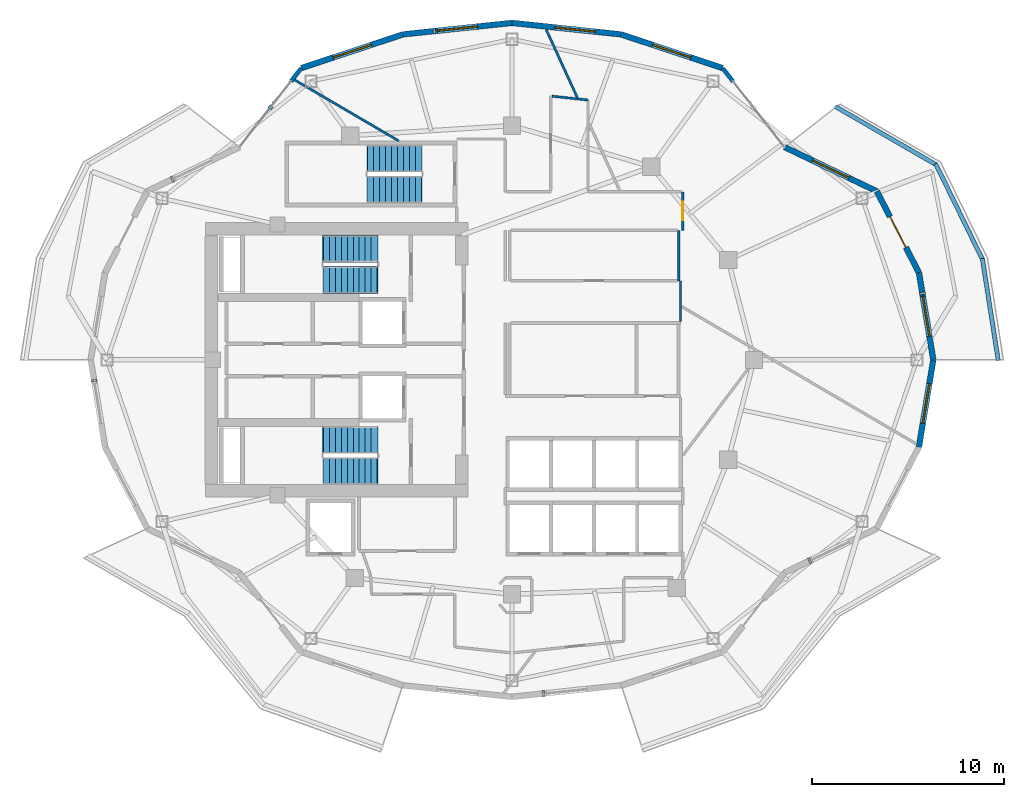
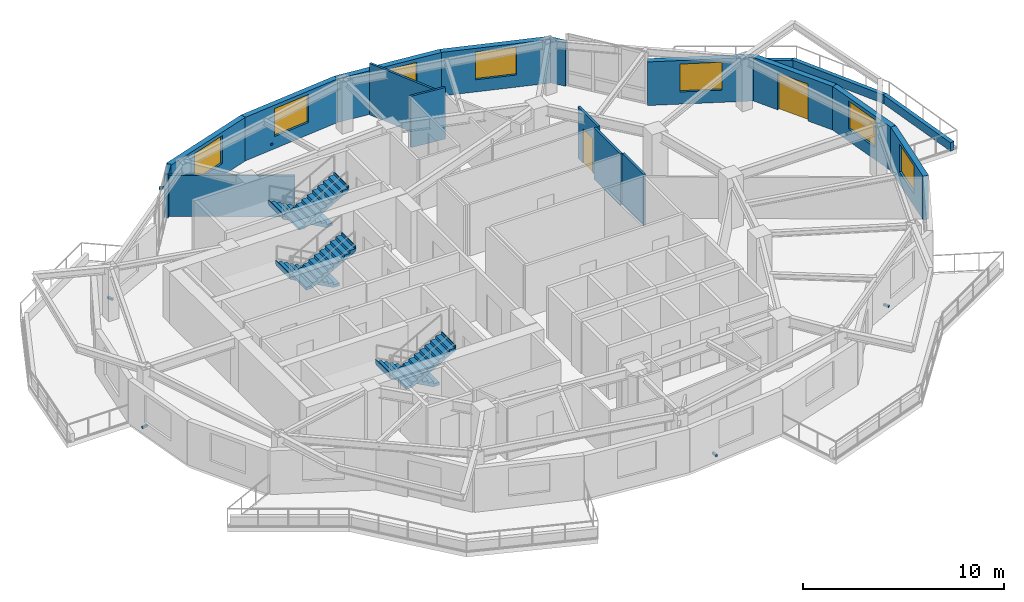
# One storey, part 9 of 13: 19 walls, 7 discrete accessories, 7 windows, 6 stair flights, 2 doors, 9 openings, 3 elements without a shape of their own.
"""IFC4 building model written with IfcOpenShell, lengths in metres."""

import ifcopenshell
import ifcopenshell.guid

model = None  # the IFC model being written
_history = None  # IfcOwnerHistory: only IFC2X3 demands one
_inside = {}  # id of a spatial element -> (the spatial element, [elements in it])
_under = {}  # id of a project, library or spatial element -> (it, [spatial elements below it])
_declared = {}  # id of a project -> (the project, [libraries it declares])
_typed = {}  # id of a type object -> (the type object, [elements of that type])
_made_of = {}  # id of a material, layer set ... -> (it, [elements and type objects made of it])


def new_model(schema):
    """Start an empty IFC model of exactly this schema.

    Asked for "IFC4X3", IfcOpenShell would pick the latest addendum, in which some entities
    have other attributes; the version numbers below select the first issue.
    IFC2X3 requires an IfcOwnerHistory on every rooted entity: one is made here for all.
    """
    global model, _history
    if schema == "IFC4X3":
        model = ifcopenshell.file(schema_version=(4, 3, 0, 0))
    else:
        model = ifcopenshell.file(schema=schema)
    _inside.clear()
    _under.clear()
    _declared.clear()
    _typed.clear()
    _made_of.clear()
    _history = None
    if model.schema == "IFC2X3":
        org = make("IfcOrganization", Name="unknown")
        user = make(
            "IfcPersonAndOrganization",
            ThePerson=make("IfcPerson", FamilyName="unknown"),
            TheOrganization=org,
        )
        app = make(
            "IfcApplication",
            ApplicationDeveloper=org,
            Version="unknown",
            ApplicationFullName="unknown",
            ApplicationIdentifier="unknown",
        )
        _history = make(
            "IfcOwnerHistory",
            OwningUser=user,
            OwningApplication=app,
            ChangeAction="ADDED",
            CreationDate=0,
        )
    return model


def make(cls, **values):
    """One entity of the class cls with the attributes given. An attribute that is None is left unset."""
    return model.create_entity(
        cls, **{name: value for name, value in values.items() if value is not None}
    )


def rooted(cls, **values):
    """An entity with a GlobalId (a new one), such as an element, a storey or a relation."""
    return make(cls, GlobalId=ifcopenshell.guid.new(), OwnerHistory=_history, **values)


def si_unit(unit_type, name, prefix=None):
    """IfcSIUnit, for example si_unit("LENGTHUNIT", "METRE", prefix="MILLI")."""
    return make("IfcSIUnit", UnitType=unit_type, Prefix=prefix, Name=name)


def assignment(units):
    """IfcUnitAssignment: the units of a project."""
    return None if units is None else make("IfcUnitAssignment", Units=units)


def point(xyz):
    """IfcCartesianPoint."""
    return None if xyz is None else make("IfcCartesianPoint", Coordinates=xyz)


def direction(xyz):
    """IfcDirection."""
    return None if xyz is None else make("IfcDirection", DirectionRatios=xyz)


def frame(location, z_axis=None, x_axis=None):
    """IfcAxis2Placement3D, a coordinate frame: its origin and axes. An axis left out is left unset."""
    return make(
        "IfcAxis2Placement3D",
        Location=point(location),
        Axis=direction(z_axis),
        RefDirection=direction(x_axis),
    )


def frame_2d(location, x_axis=None):
    """IfcAxis2Placement2D, a coordinate frame in the plane: its origin and x axis."""
    return make(
        "IfcAxis2Placement2D", Location=point(location), RefDirection=direction(x_axis)
    )


def origin():
    """The frame at (0, 0, 0) with its axes left unset."""
    return frame((0.0, 0.0, 0.0))


def origin_2d():
    """The frame at (0, 0) in the plane with its x axis left unset."""
    return frame_2d((0.0, 0.0))


def place(relative_to, where):
    """IfcLocalPlacement: puts the frame where relative to a parent placement (None: the world)."""
    return make(
        "IfcLocalPlacement", PlacementRelTo=relative_to, RelativePlacement=where
    )


def context(
    kind, dimensions, precision=None, world=None, true_north=None, identifier=None
):
    """IfcGeometricRepresentationContext, for example the 3D "Model" context."""
    return make(
        "IfcGeometricRepresentationContext",
        ContextIdentifier=identifier,
        ContextType=kind,
        CoordinateSpaceDimension=dimensions,
        Precision=precision,
        WorldCoordinateSystem=world,
        TrueNorth=true_north,
    )


def subcontext(parent, identifier, kind, view, scale=None):
    """IfcGeometricRepresentationSubContext, for example "Body" below "Model"."""
    return make(
        "IfcGeometricRepresentationSubContext",
        ContextIdentifier=identifier,
        ContextType=kind,
        ParentContext=parent,
        TargetScale=scale,
        TargetView=view,
    )


def project(units=None, contexts=None):
    """IfcProject with its units and contexts."""
    return rooted(
        "IfcProject",
        Name="project",
        RepresentationContexts=contexts,
        UnitsInContext=assignment(units),
    )


def spatial(cls, under=None, at=None, **own):
    """A site, building, storey or space (cls), placed at a placement, below another one or the project."""
    s = rooted(cls, ObjectPlacement=at, **own)
    if under is not None:
        _under.setdefault(under.id(), (under, []))[1].append(s)
    return s


def polyline(points):
    """IfcPolyline through the points."""
    return make("IfcPolyline", Points=[point(p) for p in points])


def profile(cls, at=None, kind="AREA", **sizes):
    """A parametric profile (cls). Its sizes go by their IFC names, for example OverallWidth=200.0."""
    return make(cls, ProfileType=kind, Position=at, **sizes)


def rectangle(**sizes):
    """IfcRectangleProfileDef."""
    return profile("IfcRectangleProfileDef", **sizes)


def outline(outer, holes=None, kind="AREA"):
    """IfcArbitraryClosedProfileDef: a profile drawn as a closed curve; with holes, ...WithVoids."""
    if holes is None:
        return make("IfcArbitraryClosedProfileDef", ProfileType=kind, OuterCurve=outer)
    return make(
        "IfcArbitraryProfileDefWithVoids",
        ProfileType=kind,
        OuterCurve=outer,
        InnerCurves=holes,
    )


def extrude(swept, where, along, depth):
    """IfcExtrudedAreaSolid: the profile swept, set in the frame where, extruded along a direction by depth."""
    return make(
        "IfcExtrudedAreaSolid",
        SweptArea=swept,
        Position=where,
        ExtrudedDirection=direction(along),
        Depth=depth,
    )


def shape(context_of_items, identifier, shape_type, items):
    """IfcShapeRepresentation: the items that make up one representation, for example the "Body"."""
    return make(
        "IfcShapeRepresentation",
        ContextOfItems=context_of_items,
        RepresentationIdentifier=identifier,
        RepresentationType=shape_type,
        Items=items,
    )


def material(Name=None, Category=None):
    """IfcMaterial."""
    return make("IfcMaterial", Name=Name, Category=Category)


def layer(
    of_material, thickness, ventilated=None, Name=None, Category=None, Priority=None
):
    """IfcMaterialLayer: one layer of a wall or slab, of a material (None: an air gap)."""
    return make(
        "IfcMaterialLayer",
        Material=of_material,
        LayerThickness=thickness,
        IsVentilated=ventilated,
        Name=Name,
        Category=Category,
        Priority=Priority,
    )


def layer_set(layers, Name=None):
    """IfcMaterialLayerSet."""
    return make("IfcMaterialLayerSet", MaterialLayers=layers, LayerSetName=Name)


def made_of(thing, what):
    """Note that an element or type object is made of a material, layer set ...; save() writes the relation."""
    if what is not None:
        _made_of.setdefault(what.id(), (what, []))[1].append(thing)
    return thing


def type_object(cls, material=None, **own):
    """A type object (cls), such as IfcWallType, which elements share."""
    return made_of(rooted(cls, **own), material)


def element(
    cls,
    number,
    at=None,
    inside=None,
    cuts=None,
    type_object=None,
    material=None,
    context=None,
    identifier="Body",
    shape_type=None,
    held_by="IfcProductDefinitionShape",
    body=None,
    shapes=None,
    **own,
):
    """One element of the class cls, such as IfcWall. Its Tag is "e" and its number.

    at: its placement. inside: the storey or other place that contains it. cuts: it is an
    opening in that element (IfcRelVoidsElement). A single representation is given by context,
    identifier, shape_type and body (its items); several are given by shapes. held_by: the class
    of the entity that holds the representations. save() writes the other relations.
    """
    e = rooted(cls, Tag="e%d" % number, ObjectPlacement=at, **own)
    if body is not None:
        shapes = [shape(context, identifier, shape_type, body)]
    if shapes is not None:
        e.Representation = make(held_by, Representations=shapes)
    if inside is not None:
        _inside.setdefault(inside.id(), (inside, []))[1].append(e)
    if cuts is not None:
        rooted(
            "IfcRelVoidsElement", RelatingBuildingElement=cuts, RelatedOpeningElement=e
        )
    if type_object is not None:
        _typed.setdefault(type_object.id(), (type_object, []))[1].append(e)
    return made_of(e, material)


def fill(opening, filler):
    """IfcRelFillsElement: the door or window that sits in an opening."""
    return rooted(
        "IfcRelFillsElement",
        RelatingOpeningElement=opening,
        RelatedBuildingElement=filler,
    )


def aggregate(whole, parts):
    """IfcRelAggregates: a whole, such as a stair, and the parts it consists of."""
    return rooted("IfcRelAggregates", RelatingObject=whole, RelatedObjects=parts)


def save(model, path):
    """Write the relations noted so far, then the file.

    IfcRelAggregates (storeys below a building ...), IfcRelContainedInSpatialStructure (elements
    in a storey), IfcRelDefinesByType, IfcRelAssociatesMaterial and IfcRelDeclares: one each for
    every whole, place, type object, material and project.
    """
    for whole, parts in _under.values():
        aggregate(whole, parts)
    for where, things in _inside.values():
        rooted(
            "IfcRelContainedInSpatialStructure",
            RelatedElements=things,
            RelatingStructure=where,
        )
    for kind, things in _typed.values():
        rooted("IfcRelDefinesByType", RelatedObjects=things, RelatingType=kind)
    for what, things in _made_of.values():
        rooted("IfcRelAssociatesMaterial", RelatedObjects=things, RelatingMaterial=what)
    for by, libraries in _declared.values():
        rooted("IfcRelDeclares", RelatingContext=by, RelatedDefinitions=libraries)
    model.write(path)


model = new_model("IFC4")

# Units and contexts
model_context = context("Model", 3, precision=1e-05, world=origin(), true_north=direction((0.0, 1.0)))
body_context = subcontext(model_context, "Body", "Model", "MODEL_VIEW")
ifc_project = project(units=[si_unit("LENGTHUNIT", "METRE"), si_unit("AREAUNIT", "SQUARE_METRE"), si_unit("VOLUMEUNIT", "CUBIC_METRE"), si_unit("PLANEANGLEUNIT", "RADIAN"), si_unit("MASSUNIT", "GRAM", prefix="KILO")], contexts=[model_context])

# Site, building, storey
site_placement = place(None, origin())
site = spatial("IfcSite", under=ifc_project, at=site_placement, CompositionType="ELEMENT")
building_placement = place(site_placement, origin())
building = spatial("IfcBuilding", under=site, at=building_placement, Name="Kolvaren Gate Tower and Convention Centre", CompositionType="ELEMENT")
storey_placement = place(building_placement, frame((0.0, 0.0, 142.699951171875)))
storey = spatial("IfcBuildingStorey", under=building, at=storey_placement, Name="L36", CompositionType="ELEMENT", Elevation=142.699951171875)

# Wall
ifc_material_1 = material(Name="Fire-Rated Acoustic Gypsum Stud Partition", Category="gypsum")
ifc_layer_1 = layer(ifc_material_1, 0.1201171875)
ifc_layer_set_1 = layer_set([ifc_layer_1], Name="Fire-Rated Acoustic Gypsum Stud Partition")
wall_type_1 = type_object("IfcWallType", Name="ARCH-WL-PART-120", PredefinedType="PARTITIONING", material=ifc_layer_set_1)
wall_1_placement = place(storey_placement, frame((38.800048828125, 31.1201171875, 0.0), z_axis=(0.0, 0.0, 1.0), x_axis=(0.0, 1.0, 0.0)))
element("IfcWall", 1, at=wall_1_placement, inside=storey, type_object=wall_type_1, Name="Interior Partition WL-L36-INT-019", PredefinedType="PARTITIONING", context=body_context, shape_type="SweptSolid", body=[
    extrude(rectangle(XDim=2.6298828125, YDim=0.1201171875, at=frame_2d((1.31494140625, 0.0))), origin(), (0.0, 0.0, 1.0), 3.130126953125),
])

# Wall, opening, door
wall_2_placement = place(storey_placement, frame((39.02001953125, 33.75, 0.0), z_axis=(0.0, 0.0, 1.0), x_axis=(0.0, 1.0, 0.0)))
wall_2 = element("IfcWall", 2, at=wall_2_placement, inside=storey, type_object=wall_type_1, Name="Interior Partition WL-L36-INT-023", PredefinedType="PARTITIONING", context=body_context, shape_type="SweptSolid", body=[
    extrude(rectangle(XDim=2.0, YDim=0.1201171875, at=frame_2d((1.0, 0.0))), origin(), (0.0, 0.0, 1.0), 3.130126953125),
])
opening_1_placement = place(wall_2_placement, frame((0.52490234375, 0.0, 0.0)))
opening_1 = element("IfcOpeningElement", 3, at=opening_1_placement, cuts=wall_2, Name="Opening DR-01", PredefinedType="OPENING", context=body_context, shape_type="SweptSolid", body=[
    extrude(rectangle(XDim=0.949951171875, YDim=2.10009765625, at=frame_2d((0.47509765625, 1.050048828125))), frame((0.0, 0.070068359375, 0.0), z_axis=(0.0, -1.0, 0.0), x_axis=(1.0, 0.0, 0.0)), (0.0, 0.0, 1.0), 0.14013671875),
])
ifc_material_2 = material(Name="Painted Architectural Steelwork ASTM A500 Grade C 345 MPa", Category="steel")
door_type_1 = type_object("IfcDoorType", Name="ARCH-DR-RISER-950", OperationType="SINGLE_SWING_RIGHT", PredefinedType="DOOR", material=ifc_material_2)
door_1_placement = place(opening_1_placement, origin())
door_1 = element("IfcDoor", 4, at=door_1_placement, inside=storey, type_object=door_type_1, Name="Hotel Sky Banquet Salon Door", OperationType="SINGLE_SWING_LEFT", OverallHeight=2.10009765625, OverallWidth=0.949951171875, PredefinedType="DOOR", context=body_context, shape_type="SweptSolid", body=[
    extrude(rectangle(XDim=0.949951171875, YDim=2.10009765625, at=frame_2d((0.47509765625, 1.050048828125))), frame((0.0, 0.02490234375, 0.0), z_axis=(0.0, -1.0, 0.0), x_axis=(1.0, 0.0, 0.0)), (0.0, 0.0, 1.0), 0.050048828125),
])
fill(opening_1, door_1)

# Walls
wall_3_placement = place(storey_placement, frame((32.2119140625, 40.73046875, 0.0), z_axis=(0.0, 0.0, 1.0), x_axis=(0.994511860417, -0.104623895405, 0.0)))
element("IfcWall", 5, at=wall_3_placement, inside=storey, type_object=wall_type_1, Name="Interior Partition WL-L36-INT-041", PredefinedType="PARTITIONING", context=body_context, shape_type="SweptSolid", body=[
    extrude(rectangle(XDim=1.87841796875, YDim=0.1201171875, at=frame_2d((0.939208984375, 0.0))), origin(), (0.0, 0.0, 1.0), 3.130126953125),
])
wall_4_placement = place(storey_placement, frame((38.89990234375, 28.9970703125, 0.0), z_axis=(0.0, 0.0, 1.0), x_axis=(0.0, 1.0, 0.0)))
element("IfcWall", 6, at=wall_4_placement, inside=storey, type_object=wall_type_1, Name="Interior Partition WL-L36-INT-044", PredefinedType="PARTITIONING", context=body_context, shape_type="SweptSolid", body=[
    extrude(rectangle(XDim=2.123046875, YDim=0.1201171875, at=frame_2d((1.0615234375, 0.0))), origin(), (0.0, 0.0, 1.0), 3.130126953125),
])
wall_5_placement = place(storey_placement, frame((18.811279296875, 41.576416015625, 0.0), z_axis=(0.0, 0.0, 1.0), x_axis=(0.862957437205, -0.505276618866, 0.0)))
element("IfcWall", 7, at=wall_5_placement, inside=storey, type_object=wall_type_1, Name="Interior Partition WL-L36-INT-049", PredefinedType="PARTITIONING", context=body_context, shape_type="SweptSolid", body=[
    extrude(rectangle(XDim=6.2822265625, YDim=0.1201171875, at=frame_2d((3.14111328125, 0.0))), origin(), (0.0, 0.0, 1.0), 2.505126953125),
])
wall_6_placement = place(storey_placement, frame((31.90234375, 44.2099609375, 0.0), z_axis=(0.0, 0.0, 1.0), x_axis=(0.41553391135, -0.909577686907, 0.0)))
element("IfcWall", 8, at=wall_6_placement, inside=storey, type_object=wall_type_1, Name="Interior Partition WL-L36-INT-053", PredefinedType="PARTITIONING", context=body_context, shape_type="SweptSolid", body=[
    extrude(rectangle(XDim=3.908935546875, YDim=0.1201171875, at=frame_2d((1.95458984375, 0.0))), origin(), (0.0, 0.0, 1.0), 3.130126953125),
])
ifc_material_3 = material(Name="Bogota Sabana Bush-Hammered Sandstone Cladding", Category="masonry")
ifc_layer_2 = layer(ifc_material_3, 0.219970703125)
ifc_layer_set_2 = layer_set([ifc_layer_2], Name="Bogota Sabana Bush-Hammered Sandstone Cladding")
wall_type_2 = type_object("IfcWallType", Name="ARCH-WL-PIER-220", PredefinedType="SOLIDWALL", material=ifc_layer_set_2)
for number, where, z_axis, x_axis, name in (
    (9, (41.09375, 42.19873046875, 0.0), (0.0, 0.0, 1.0), (0.616368366719, -0.787457958566, 0.0), "Tower L36 Unitised Curtain Wall CW-HTL-UNIT Bay 03 Left Column Pier Wrap"),
    (10, (18.6162109375, 41.5087890625, 0.0), (0.0, 0.0, 1.0), (0.616368366719, 0.787457958566, 0.0), "Tower L36 Unitised Curtain Wall CW-HTL-UNIT Bay 08 Right Column Pier Wrap"),
):
    element("IfcWall", number, at=place(storey_placement, frame(where, z_axis=z_axis, x_axis=x_axis)), inside=storey, type_object=wall_type_2, Name=name, PredefinedType="SOLIDWALL", context=body_context, shape_type="SweptSolid", body=[
        extrude(rectangle(XDim=0.876220703125, YDim=0.219970703125, at=frame_2d((0.43798828125, 0.0))), origin(), (0.0, 0.0, 1.0), 2.653076171875),
    ])
ifc_material_4 = material(Name="Piedmont Cream Honed Limestone Cladding", Category="masonry")
ifc_layer_3 = layer(ifc_material_4, 0.219970703125)
ifc_layer_set_3 = layer_set([ifc_layer_3], Name="Piedmont Cream Honed Limestone Cladding")
wall_type_3 = type_object("IfcWallType", Name="ARCH-WL-PLANTER-220", PredefinedType="PARAPET", material=ifc_layer_set_3)
wall_7_placement = place(storey_placement, frame((54.615234375, 32.280029296875, 0.0), z_axis=(0.0, 0.0, 1.0), x_axis=(0.154245214003, -0.988032597619, 0.0)))
element("IfcWall", 11, at=wall_7_placement, inside=storey, type_object=wall_type_3, Name="Vertical-Forest Balcony Stone Planter Kerb PK-L36-1.1", PredefinedType="PARAPET", context=body_context, shape_type="SweptSolid", body=[
    extrude(rectangle(XDim=5.37353515625, YDim=0.219970703125, at=frame_2d((2.686767578125, 0.0))), origin(), (0.0, 0.0, 1.0), 0.52001953125),
])
wall_8_placement = place(storey_placement, frame((52.180419921875, 37.221435546875, 0.0), z_axis=(0.0, 0.0, 1.0), x_axis=(0.439637174641, -0.898175458735, 0.0)))
element("IfcWall", 12, at=wall_8_placement, inside=storey, type_object=wall_type_3, Name="Vertical-Forest Balcony Stone Planter Kerb PK-L36-1.2", PredefinedType="PARAPET", context=body_context, shape_type="SweptSolid", body=[
    extrude(rectangle(XDim=5.567138671875, YDim=0.219970703125, at=frame_2d((2.78369140625, 0.0))), origin(), (0.0, 0.0, 1.0), 0.52001953125),
])
wall_9_placement = place(storey_placement, frame((46.95751953125, 40.1953125, 0.0), z_axis=(0.0, 0.0, 1.0), x_axis=(0.866058128659, -0.499943314571, 0.0)))
element("IfcWall", 13, at=wall_9_placement, inside=storey, type_object=wall_type_3, Name="Vertical-Forest Balcony Stone Planter Kerb PK-L36-1.3", PredefinedType="PARAPET", context=body_context, shape_type="SweptSolid", body=[
    extrude(rectangle(XDim=6.060302734375, YDim=0.219970703125, at=frame_2d((3.0302734375, 0.0))), origin(), (0.0, 0.0, 1.0), 0.52001953125),
])

# Wall, opening, window
ifc_layer_4 = layer(ifc_material_4, 0.300048828125)
ifc_layer_set_4 = layer_set([ifc_layer_4], Name="Piedmont Cream Honed Limestone Cladding")
wall_type_4 = type_object("IfcWallType", Name="ARCH-WL-STONE-300", PredefinedType="SOLIDWALL", material=ifc_layer_set_4)
wall_10_placement = place(storey_placement, frame((51.31494140625, 31.542236328125, 0.0), z_axis=(0.0, 0.0, 1.0), x_axis=(0.162394765401, -0.986725868806, 0.0)))
wall_10 = element("IfcWall", 14, at=wall_10_placement, inside=storey, type_object=wall_type_4, Name="Tower L36 Honed Stone Spandrel Wall EW-00", PredefinedType="SOLIDWALL", context=body_context, shape_type="SweptSolid", body=[
    extrude(rectangle(XDim=4.603271484375, YDim=0.300048828125, at=frame_2d((2.3017578125, 0.0))), origin(), (0.0, 0.0, 1.0), 2.653076171875),
])
opening_2_placement = place(wall_10_placement, frame((1.251953125, 0.0, 0.739990234375)))
opening_2 = element("IfcOpeningElement", 15, at=opening_2_placement, cuts=wall_10, Name="Opening W-02", PredefinedType="OPENING", context=body_context, shape_type="SweptSolid", body=[
    extrude(rectangle(XDim=2.10009765625, YDim=1.699951171875, at=frame_2d((1.050048828125, 0.85009765625))), frame((0.0, 0.159912109375, 0.0), z_axis=(0.0, -1.0, 0.0), x_axis=(1.0, 0.0, 0.0)), (0.0, 0.0, 1.0), 0.320068359375),
])
ifc_material_5 = material(Name="Low-E Triple Insulated Glazing Unit 44 mm", Category="glass")
window_type = type_object("IfcWindowType", Name="ARCH-WN-HTL-2100", PartitioningType="SINGLE_PANEL", PredefinedType="WINDOW", material=ifc_material_5)
window_1_placement = place(opening_2_placement, origin())
window_1 = element("IfcWindow", 16, at=window_1_placement, inside=storey, type_object=window_type, Name="Tower L36 Punched Stone Facade Window W-00", OverallHeight=1.699951171875, OverallWidth=2.10009765625, PartitioningType="SINGLE_PANEL", PredefinedType="WINDOW", context=body_context, shape_type="SweptSolid", body=[
    extrude(rectangle(XDim=2.10009765625, YDim=1.699951171875, at=frame_2d((1.050048828125, 0.85009765625))), frame((0.0, 0.030029296875, 0.0), z_axis=(0.0, -1.0, 0.0), x_axis=(1.0, 0.0, 0.0)), (0.0, 0.0, 1.0), 0.06005859375),
])
fill(opening_2, window_1)

# Wall, opening, door
wall_11_placement = place(storey_placement, frame((49.123291015625, 35.77490234375, 0.0), z_axis=(0.0, 0.0, 1.0), x_axis=(0.459810251451, -0.888017191647, 0.0)))
wall_11 = element("IfcWall", 17, at=wall_11_placement, inside=storey, type_object=wall_type_4, Name="Tower L36 Honed Stone Spandrel Wall EW-01", PredefinedType="SOLIDWALL", context=body_context, shape_type="SweptSolid", body=[
    extrude(rectangle(XDim=4.766357421875, YDim=0.300048828125, at=frame_2d((2.38330078125, 0.0))), origin(), (0.0, 0.0, 1.0), 2.653076171875),
])
opening_3_placement = place(wall_11_placement, frame((1.48291015625, 0.0, 0.0)))
opening_3 = element("IfcOpeningElement", 18, at=opening_3_placement, cuts=wall_11, Name="Opening DB-01", PredefinedType="OPENING", context=body_context, shape_type="SweptSolid", body=[
    extrude(rectangle(XDim=1.800048828125, YDim=2.25, at=frame_2d((0.89990234375, 1.125))), frame((0.0, 0.159912109375, 0.0), z_axis=(0.0, -1.0, 0.0), x_axis=(1.0, 0.0, 0.0)), (0.0, 0.0, 1.0), 0.320068359375),
])
ifc_material_6 = material(Name="Anodized Architectural Aluminium Alloy 6063-T6", Category="aluminium")
door_type_2 = type_object("IfcDoorType", Name="ARCH-DR-BALC-1800", OperationType="SLIDING_TO_LEFT", PredefinedType="DOOR", material=ifc_material_6)
door_2_placement = place(opening_3_placement, origin())
door_2 = element("IfcDoor", 19, at=door_2_placement, inside=storey, type_object=door_type_2, Name="Planted Sky Terrace Access Door DB-L36-01", OperationType="SLIDING_TO_LEFT", OverallHeight=2.25, OverallWidth=1.800048828125, PredefinedType="DOOR", context=body_context, shape_type="SweptSolid", body=[
    extrude(rectangle(XDim=1.800048828125, YDim=2.25, at=frame_2d((0.89990234375, 1.125))), frame((0.0, 0.02490234375, 0.0), z_axis=(0.0, -1.0, 0.0), x_axis=(1.0, 0.0, 0.0)), (0.0, 0.0, 1.0), 0.050048828125),
])
fill(opening_3, door_2)

# Wall, opening, window
wall_12_placement = place(storey_placement, frame((44.3134765625, 38.0859375, 0.0), z_axis=(0.0, 0.0, 1.0), x_axis=(0.901353070301, -0.433085029363, 0.0)))
wall_12 = element("IfcWall", 20, at=wall_12_placement, inside=storey, type_object=wall_type_4, Name="Tower L36 Honed Stone Spandrel Wall EW-02", PredefinedType="SOLIDWALL", context=body_context, shape_type="SweptSolid", body=[
    extrude(rectangle(XDim=5.336181640625, YDim=0.300048828125, at=frame_2d((2.66796875, 0.0))), origin(), (0.0, 0.0, 1.0), 2.653076171875),
])
opening_4_placement = place(wall_12_placement, frame((1.617919921875, 0.0, 0.739990234375)))
opening_4 = element("IfcOpeningElement", 21, at=opening_4_placement, cuts=wall_12, Name="Opening W-02", PredefinedType="OPENING", context=body_context, shape_type="SweptSolid", body=[
    extrude(rectangle(XDim=2.10009765625, YDim=1.699951171875, at=frame_2d((1.050048828125, 0.85009765625))), frame((0.0, 0.159912109375, 0.0), z_axis=(0.0, -1.0, 0.0), x_axis=(1.0, 0.0, 0.0)), (0.0, 0.0, 1.0), 0.320068359375),
])
window_2_placement = place(opening_4_placement, origin())
window_2 = element("IfcWindow", 22, at=window_2_placement, inside=storey, type_object=window_type, Name="Tower L36 Punched Stone Facade Window W-02", OverallHeight=1.699951171875, OverallWidth=2.10009765625, PartitioningType="SINGLE_PANEL", PredefinedType="WINDOW", context=body_context, shape_type="SweptSolid", body=[
    extrude(rectangle(XDim=2.10009765625, YDim=1.699951171875, at=frame_2d((1.050048828125, 0.85009765625))), frame((0.0, 0.030029296875, 0.0), z_axis=(0.0, -1.0, 0.0), x_axis=(1.0, 0.0, 0.0)), (0.0, 0.0, 1.0), 0.06005859375),
])
fill(opening_4, window_2)

wall_13_placement = place(storey_placement, frame((35.802734375, 43.951904296875, 0.0), z_axis=(0.0, 0.0, 1.0), x_axis=(0.949246811547, -0.314532177636, 0.0)))
wall_13 = element("IfcWall", 23, at=wall_13_placement, inside=storey, type_object=wall_type_4, Name="Tower L36 Honed Stone Spandrel Wall EW-04", PredefinedType="SOLIDWALL", context=body_context, shape_type="SweptSolid", body=[
    extrude(rectangle(XDim=5.573974609375, YDim=0.300048828125, at=frame_2d((2.787109375, 0.0))), origin(), (0.0, 0.0, 1.0), 2.653076171875),
])
opening_5_placement = place(wall_13_placement, frame((1.737060546875, 0.0, 0.739990234375)))
opening_5 = element("IfcOpeningElement", 24, at=opening_5_placement, cuts=wall_13, Name="Opening W-02", PredefinedType="OPENING", context=body_context, shape_type="SweptSolid", body=[
    extrude(rectangle(XDim=2.10009765625, YDim=1.699951171875, at=frame_2d((1.050048828125, 0.85009765625))), frame((0.0, 0.159912109375, 0.0), z_axis=(0.0, -1.0, 0.0), x_axis=(1.0, 0.0, 0.0)), (0.0, 0.0, 1.0), 0.320068359375),
])
window_3_placement = place(opening_5_placement, origin())
window_3 = element("IfcWindow", 25, at=window_3_placement, inside=storey, type_object=window_type, Name="Tower L36 Punched Stone Facade Window W-04", OverallHeight=1.699951171875, OverallWidth=2.10009765625, PartitioningType="SINGLE_PANEL", PredefinedType="WINDOW", context=body_context, shape_type="SweptSolid", body=[
    extrude(rectangle(XDim=2.10009765625, YDim=1.699951171875, at=frame_2d((1.050048828125, 0.85009765625))), frame((0.0, 0.030029296875, 0.0), z_axis=(0.0, -1.0, 0.0), x_axis=(1.0, 0.0, 0.0)), (0.0, 0.0, 1.0), 0.06005859375),
])
fill(opening_5, window_3)

wall_14_placement = place(storey_placement, frame((30.125, 44.550048828125, 0.0), z_axis=(0.0, 0.0, 1.0), x_axis=(0.994496545245, -0.104769372887, 0.0)))
wall_14 = element("IfcWall", 26, at=wall_14_placement, inside=storey, type_object=wall_type_4, Name="Tower L36 Honed Stone Spandrel Wall EW-05", PredefinedType="SOLIDWALL", context=body_context, shape_type="SweptSolid", body=[
    extrude(rectangle(XDim=5.709228515625, YDim=0.300048828125, at=frame_2d((2.8544921875, 0.0))), origin(), (0.0, 0.0, 1.0), 2.653076171875),
])
opening_6_placement = place(wall_14_placement, frame((2.25, 0.0, 0.739990234375)))
opening_6 = element("IfcOpeningElement", 27, at=opening_6_placement, cuts=wall_14, Name="Opening W-02", PredefinedType="OPENING", context=body_context, shape_type="SweptSolid", body=[
    extrude(rectangle(XDim=2.10009765625, YDim=1.699951171875, at=frame_2d((1.050048828125, 0.85009765625))), frame((0.0, 0.159912109375, 0.0), z_axis=(0.0, -1.0, 0.0), x_axis=(1.0, 0.0, 0.0)), (0.0, 0.0, 1.0), 0.320068359375),
])
window_4_placement = place(opening_6_placement, origin())
window_4 = element("IfcWindow", 28, at=window_4_placement, inside=storey, type_object=window_type, Name="Tower L36 Punched Stone Facade Window W-05", OverallHeight=1.699951171875, OverallWidth=2.10009765625, PartitioningType="SINGLE_PANEL", PredefinedType="WINDOW", context=body_context, shape_type="SweptSolid", body=[
    extrude(rectangle(XDim=2.10009765625, YDim=1.699951171875, at=frame_2d((1.050048828125, 0.85009765625))), frame((0.0, 0.030029296875, 0.0), z_axis=(0.0, -1.0, 0.0), x_axis=(1.0, 0.0, 0.0)), (0.0, 0.0, 1.0), 0.06005859375),
])
fill(opening_6, window_4)

wall_15_placement = place(storey_placement, frame((24.447265625, 43.951904296875, 0.0), z_axis=(0.0, 0.0, 1.0), x_axis=(0.994496545245, 0.104769372887, 0.0)))
wall_15 = element("IfcWall", 29, at=wall_15_placement, inside=storey, type_object=wall_type_4, Name="Tower L36 Honed Stone Spandrel Wall EW-06", PredefinedType="SOLIDWALL", context=body_context, shape_type="SweptSolid", body=[
    extrude(rectangle(XDim=5.709228515625, YDim=0.300048828125, at=frame_2d((2.8544921875, 0.0))), origin(), (0.0, 0.0, 1.0), 2.653076171875),
])
opening_7_placement = place(wall_15_placement, frame((1.804931640625, 0.0, 0.739990234375)))
opening_7 = element("IfcOpeningElement", 30, at=opening_7_placement, cuts=wall_15, Name="Opening W-02", PredefinedType="OPENING", context=body_context, shape_type="SweptSolid", body=[
    extrude(rectangle(XDim=2.10009765625, YDim=1.699951171875, at=frame_2d((1.050048828125, 0.85009765625))), frame((0.0, 0.159912109375, 0.0), z_axis=(0.0, -1.0, 0.0), x_axis=(1.0, 0.0, 0.0)), (0.0, 0.0, 1.0), 0.320068359375),
])
window_5_placement = place(opening_7_placement, origin())
window_5 = element("IfcWindow", 31, at=window_5_placement, inside=storey, type_object=window_type, Name="Tower L36 Punched Stone Facade Window W-06", OverallHeight=1.699951171875, OverallWidth=2.10009765625, PartitioningType="SINGLE_PANEL", PredefinedType="WINDOW", context=body_context, shape_type="SweptSolid", body=[
    extrude(rectangle(XDim=2.10009765625, YDim=1.699951171875, at=frame_2d((1.050048828125, 0.85009765625))), frame((0.0, 0.030029296875, 0.0), z_axis=(0.0, -1.0, 0.0), x_axis=(1.0, 0.0, 0.0)), (0.0, 0.0, 1.0), 0.06005859375),
])
fill(opening_7, window_5)

wall_16_placement = place(storey_placement, frame((19.15625, 42.19873046875, 0.0), z_axis=(0.0, 0.0, 1.0), x_axis=(0.949246811547, 0.314532177636, 0.0)))
wall_16 = element("IfcWall", 32, at=wall_16_placement, inside=storey, type_object=wall_type_4, Name="Tower L36 Honed Stone Spandrel Wall EW-07", PredefinedType="SOLIDWALL", context=body_context, shape_type="SweptSolid", body=[
    extrude(rectangle(XDim=5.573974609375, YDim=0.300048828125, at=frame_2d((2.787109375, 0.0))), origin(), (0.0, 0.0, 1.0), 2.653076171875),
])
opening_8_placement = place(wall_16_placement, frame((1.737060546875, 0.0, 0.739990234375)))
opening_8 = element("IfcOpeningElement", 33, at=opening_8_placement, cuts=wall_16, Name="Opening W-02", PredefinedType="OPENING", context=body_context, shape_type="SweptSolid", body=[
    extrude(rectangle(XDim=2.10009765625, YDim=1.699951171875, at=frame_2d((1.050048828125, 0.85009765625))), frame((0.0, 0.159912109375, 0.0), z_axis=(0.0, -1.0, 0.0), x_axis=(1.0, 0.0, 0.0)), (0.0, 0.0, 1.0), 0.320068359375),
])
window_6_placement = place(opening_8_placement, origin())
window_6 = element("IfcWindow", 34, at=window_6_placement, inside=storey, type_object=window_type, Name="Tower L36 Punched Stone Facade Window W-07", OverallHeight=1.699951171875, OverallWidth=2.10009765625, PartitioningType="SINGLE_PANEL", PredefinedType="WINDOW", context=body_context, shape_type="SweptSolid", body=[
    extrude(rectangle(XDim=2.10009765625, YDim=1.699951171875, at=frame_2d((1.050048828125, 0.85009765625))), frame((0.0, 0.030029296875, 0.0), z_axis=(0.0, -1.0, 0.0), x_axis=(1.0, 0.0, 0.0)), (0.0, 0.0, 1.0), 0.06005859375),
])
fill(opening_8, window_6)

wall_17_placement = place(storey_placement, frame((51.31494140625, 22.457763671875, 0.0), z_axis=(0.0, 0.0, 1.0), x_axis=(0.162394765401, 0.986725868806, 0.0)))
wall_17 = element("IfcWall", 35, at=wall_17_placement, inside=storey, type_object=wall_type_4, Name="Tower L36 Honed Stone Spandrel Wall EW-23", PredefinedType="SOLIDWALL", context=body_context, shape_type="SweptSolid", body=[
    extrude(rectangle(XDim=4.603271484375, YDim=0.300048828125, at=frame_2d((2.3017578125, 0.0))), origin(), (0.0, 0.0, 1.0), 2.653076171875),
])
opening_9_placement = place(wall_17_placement, frame((1.251953125, 0.0, 0.739990234375)))
opening_9 = element("IfcOpeningElement", 36, at=opening_9_placement, cuts=wall_17, Name="Opening W-02", PredefinedType="OPENING", context=body_context, shape_type="SweptSolid", body=[
    extrude(rectangle(XDim=2.10009765625, YDim=1.699951171875, at=frame_2d((1.050048828125, 0.85009765625))), frame((0.0, 0.159912109375, 0.0), z_axis=(0.0, -1.0, 0.0), x_axis=(1.0, 0.0, 0.0)), (0.0, 0.0, 1.0), 0.320068359375),
])
window_7_placement = place(opening_9_placement, origin())
window_7 = element("IfcWindow", 37, at=window_7_placement, inside=storey, type_object=window_type, Name="Tower L36 Punched Stone Facade Window W-23", OverallHeight=1.699951171875, OverallWidth=2.10009765625, PartitioningType="SINGLE_PANEL", PredefinedType="WINDOW", context=body_context, shape_type="SweptSolid", body=[
    extrude(rectangle(XDim=2.10009765625, YDim=1.699951171875, at=frame_2d((1.050048828125, 0.85009765625))), frame((0.0, 0.030029296875, 0.0), z_axis=(0.0, -1.0, 0.0), x_axis=(1.0, 0.0, 0.0)), (0.0, 0.0, 1.0), 0.06005859375),
])
fill(opening_9, window_7)

# Stair, stair flights
ifc_material_7 = material(Name="Concrete C50/60", Category="concrete")
stair_type = type_object("IfcStairType", Name="STR-STAIR-CORE", PredefinedType="HALF_TURN_STAIR", material=ifc_material_7)
stair_1_placement = place(storey_placement, origin())
stair_1 = element("IfcStair", 38, at=stair_1_placement, inside=storey, type_object=stair_type, Name="L36 Tower North Exit Stair ST-T1", PredefinedType="HALF_TURN_STAIR")
stair_flight_type = type_object("IfcStairFlightType", Name="STR-SFL-1420", PredefinedType="STRAIGHT", material=ifc_material_7)
stair_flight_1_placement = place(storey_placement, frame((23.10009765625, 32.7900390625, 0.0), z_axis=(0.0, 0.0, 1.0), x_axis=(-1.0, 0.0, 0.0)))
stair_flight_1 = element("IfcStairFlight", 39, at=stair_flight_1_placement, type_object=stair_flight_type, Name="ST-T1 flight 1", NumberOfRisers=10, NumberOfTreads=9, PredefinedType="STRAIGHT", RiserHeight=0.17, TreadLength=0.31, context=body_context, shape_type="SweptSolid", body=[
    extrude(outline(polyline([(-0.034912109375, 0.0), (-0.034912109375, 0.169921875), (0.31005859375, 0.169921875), (0.31005859375, 0.340087890625), (0.6201171875, 0.340087890625), (0.6201171875, 0.510009765625), (0.929931640625, 0.510009765625), (0.929931640625, 0.679931640625), (1.239990234375, 0.679931640625), (1.239990234375, 0.85009765625), (1.550048828125, 0.85009765625), (1.550048828125, 1.02001953125), (1.860107421875, 1.02001953125), (1.860107421875, 1.18994140625), (2.169921875, 1.18994140625), (2.169921875, 1.360107421875), (2.47998046875, 1.360107421875), (2.47998046875, 1.530029296875), (2.7900390625, 1.530029296875), (2.7900390625, 1.699951171875), (2.8349609375, 1.699951171875), (2.8349609375, 1.5400390625), (2.7900390625, 1.359130859375), (0.311767578125, 0.0), (-0.034912109375, 0.0)])), frame((0.0, 0.7099609375, 0.0), z_axis=(0.0, -1.0, 0.0), x_axis=(1.0, 0.0, 0.0)), (0.0, 0.0, 1.0), 1.419921875),
])
stair_flight_2_placement = place(storey_placement, frame((20.31005859375, 31.169921875, 1.699951171875), z_axis=(0.0, 0.0, 1.0), x_axis=(1.0, 0.0, 0.0)))
stair_flight_2 = element("IfcStairFlight", 40, at=stair_flight_2_placement, type_object=stair_flight_type, Name="ST-T1 flight 2", NumberOfRisers=10, NumberOfTreads=9, PredefinedType="STRAIGHT", RiserHeight=0.17, TreadLength=0.31, context=body_context, shape_type="SweptSolid", body=[
    extrude(outline(polyline([(-0.034912109375, 0.0), (-0.034912109375, 0.169921875), (0.31005859375, 0.169921875), (0.31005859375, 0.340087890625), (0.6201171875, 0.340087890625), (0.6201171875, 0.510009765625), (0.929931640625, 0.510009765625), (0.929931640625, 0.679931640625), (1.239990234375, 0.679931640625), (1.239990234375, 0.85009765625), (1.550048828125, 0.85009765625), (1.550048828125, 1.02001953125), (1.860107421875, 1.02001953125), (1.860107421875, 1.18994140625), (2.169921875, 1.18994140625), (2.169921875, 1.360107421875), (2.47998046875, 1.360107421875), (2.47998046875, 1.530029296875), (2.7900390625, 1.530029296875), (2.7900390625, 1.699951171875), (2.8349609375, 1.699951171875), (2.8349609375, 1.5400390625), (2.7900390625, 1.359130859375), (0.311767578125, 0.0), (-0.034912109375, 0.0)])), frame((0.0, 0.7099609375, 0.0), z_axis=(0.0, -1.0, 0.0), x_axis=(1.0, 0.0, 0.0)), (0.0, 0.0, 1.0), 1.419921875),
])
aggregate(stair_1, [stair_flight_1, stair_flight_2])

stair_2_placement = place(storey_placement, origin())
stair_2 = element("IfcStair", 41, at=stair_2_placement, inside=storey, type_object=stair_type, Name="L36 Tower South Exit Stair ST-T2", PredefinedType="HALF_TURN_STAIR")
stair_flight_3_placement = place(storey_placement, frame((23.10009765625, 22.830078125, 0.0), z_axis=(0.0, 0.0, 1.0), x_axis=(-1.0, 0.0, 0.0)))
stair_flight_3 = element("IfcStairFlight", 42, at=stair_flight_3_placement, type_object=stair_flight_type, Name="ST-T2 flight 1", NumberOfRisers=10, NumberOfTreads=9, PredefinedType="STRAIGHT", RiserHeight=0.17, TreadLength=0.31, context=body_context, shape_type="SweptSolid", body=[
    extrude(outline(polyline([(-0.034912109375, 0.0), (-0.034912109375, 0.169921875), (0.31005859375, 0.169921875), (0.31005859375, 0.340087890625), (0.6201171875, 0.340087890625), (0.6201171875, 0.510009765625), (0.929931640625, 0.510009765625), (0.929931640625, 0.679931640625), (1.239990234375, 0.679931640625), (1.239990234375, 0.85009765625), (1.550048828125, 0.85009765625), (1.550048828125, 1.02001953125), (1.860107421875, 1.02001953125), (1.860107421875, 1.18994140625), (2.169921875, 1.18994140625), (2.169921875, 1.360107421875), (2.47998046875, 1.360107421875), (2.47998046875, 1.530029296875), (2.7900390625, 1.530029296875), (2.7900390625, 1.699951171875), (2.8349609375, 1.699951171875), (2.8349609375, 1.5400390625), (2.7900390625, 1.359130859375), (0.311767578125, 0.0), (-0.034912109375, 0.0)])), frame((0.0, 0.7099609375, 0.0), z_axis=(0.0, -1.0, 0.0), x_axis=(1.0, 0.0, 0.0)), (0.0, 0.0, 1.0), 1.419921875),
])
stair_flight_4_placement = place(storey_placement, frame((20.31005859375, 21.2099609375, 1.699951171875), z_axis=(0.0, 0.0, 1.0), x_axis=(1.0, 0.0, 0.0)))
stair_flight_4 = element("IfcStairFlight", 43, at=stair_flight_4_placement, type_object=stair_flight_type, Name="ST-T2 flight 2", NumberOfRisers=10, NumberOfTreads=9, PredefinedType="STRAIGHT", RiserHeight=0.17, TreadLength=0.31, context=body_context, shape_type="SweptSolid", body=[
    extrude(outline(polyline([(-0.034912109375, 0.0), (-0.034912109375, 0.169921875), (0.31005859375, 0.169921875), (0.31005859375, 0.340087890625), (0.6201171875, 0.340087890625), (0.6201171875, 0.510009765625), (0.929931640625, 0.510009765625), (0.929931640625, 0.679931640625), (1.239990234375, 0.679931640625), (1.239990234375, 0.85009765625), (1.550048828125, 0.85009765625), (1.550048828125, 1.02001953125), (1.860107421875, 1.02001953125), (1.860107421875, 1.18994140625), (2.169921875, 1.18994140625), (2.169921875, 1.360107421875), (2.47998046875, 1.360107421875), (2.47998046875, 1.530029296875), (2.7900390625, 1.530029296875), (2.7900390625, 1.699951171875), (2.8349609375, 1.699951171875), (2.8349609375, 1.5400390625), (2.7900390625, 1.359130859375), (0.311767578125, 0.0), (-0.034912109375, 0.0)])), frame((0.0, 0.7099609375, 0.0), z_axis=(0.0, -1.0, 0.0), x_axis=(1.0, 0.0, 0.0)), (0.0, 0.0, 1.0), 1.419921875),
])
aggregate(stair_2, [stair_flight_3, stair_flight_4])

stair_3_placement = place(storey_placement, origin())
stair_3 = element("IfcStair", 44, at=stair_3_placement, inside=storey, type_object=stair_type, Name="L36 Tower Mid-Zone Exit Stair ST-T3", PredefinedType="HALF_TURN_STAIR")
stair_flight_5_placement = place(storey_placement, frame((25.39990234375, 37.489990234375, 0.0), z_axis=(0.0, 0.0, 1.0), x_axis=(-1.0, 0.0, 0.0)))
stair_flight_5 = element("IfcStairFlight", 45, at=stair_flight_5_placement, type_object=stair_flight_type, Name="ST-T3 flight 1", NumberOfRisers=10, NumberOfTreads=9, PredefinedType="STRAIGHT", RiserHeight=0.17, TreadLength=0.31, context=body_context, shape_type="SweptSolid", body=[
    extrude(outline(polyline([(-0.034912109375, 0.0), (-0.034912109375, 0.169921875), (0.31005859375, 0.169921875), (0.31005859375, 0.340087890625), (0.6201171875, 0.340087890625), (0.6201171875, 0.510009765625), (0.929931640625, 0.510009765625), (0.929931640625, 0.679931640625), (1.239990234375, 0.679931640625), (1.239990234375, 0.85009765625), (1.550048828125, 0.85009765625), (1.550048828125, 1.02001953125), (1.860107421875, 1.02001953125), (1.860107421875, 1.18994140625), (2.169921875, 1.18994140625), (2.169921875, 1.360107421875), (2.47998046875, 1.360107421875), (2.47998046875, 1.530029296875), (2.7900390625, 1.530029296875), (2.7900390625, 1.699951171875), (2.8349609375, 1.699951171875), (2.8349609375, 1.5400390625), (2.7900390625, 1.359130859375), (0.311767578125, 0.0), (-0.034912109375, 0.0)])), frame((0.0, 0.7099609375, 0.0), z_axis=(0.0, -1.0, 0.0), x_axis=(1.0, 0.0, 0.0)), (0.0, 0.0, 1.0), 1.419921875),
])
stair_flight_6_placement = place(storey_placement, frame((22.610107421875, 35.8701171875, 1.699951171875), z_axis=(0.0, 0.0, 1.0), x_axis=(1.0, 0.0, 0.0)))
stair_flight_6 = element("IfcStairFlight", 46, at=stair_flight_6_placement, type_object=stair_flight_type, Name="ST-T3 flight 2", NumberOfRisers=10, NumberOfTreads=9, PredefinedType="STRAIGHT", RiserHeight=0.17, TreadLength=0.31, context=body_context, shape_type="SweptSolid", body=[
    extrude(outline(polyline([(-0.034912109375, 0.0), (-0.034912109375, 0.169921875), (0.31005859375, 0.169921875), (0.31005859375, 0.340087890625), (0.6201171875, 0.340087890625), (0.6201171875, 0.510009765625), (0.929931640625, 0.510009765625), (0.929931640625, 0.679931640625), (1.239990234375, 0.679931640625), (1.239990234375, 0.85009765625), (1.550048828125, 0.85009765625), (1.550048828125, 1.02001953125), (1.860107421875, 1.02001953125), (1.860107421875, 1.18994140625), (2.169921875, 1.18994140625), (2.169921875, 1.360107421875), (2.47998046875, 1.360107421875), (2.47998046875, 1.530029296875), (2.7900390625, 1.530029296875), (2.7900390625, 1.699951171875), (2.8349609375, 1.699951171875), (2.8349609375, 1.5400390625), (2.7900390625, 1.359130859375), (0.311767578125, 0.0), (-0.034912109375, 0.0)])), frame((0.0, 0.7099609375, 0.0), z_axis=(0.0, -1.0, 0.0), x_axis=(1.0, 0.0, 0.0)), (0.0, 0.0, 1.0), 1.419921875),
])
aggregate(stair_3, [stair_flight_5, stair_flight_6])

# Discrete accessories
discrete_accessory_type = type_object("IfcDiscreteAccessoryType", Name="ARCH-ACC-BRACKET-120", PredefinedType="BRACKET", material=ifc_material_6)
for number, where, z_axis, x_axis, name in (
    (47, (51.4921875, 30.46484375, 0.2900390625), (0.0, 0.0, 1.0), (0.162380568014, -0.986728205298, 0.0), "Ceramic Fin Wall Anchor Bracket FBK-L36-00"),
    (48, (26.083251953125, 44.124267578125, 0.2900390625), (0.0, 0.0, 1.0), (0.994499249941, 0.104743696069, 0.0), "Ceramic Fin Wall Anchor Bracket FBK-L36-06"),
):
    element("IfcDiscreteAccessory", number, at=place(storey_placement, frame(where, z_axis=z_axis, x_axis=x_axis)), inside=storey, type_object=discrete_accessory_type, Name=name, PredefinedType="BRACKET", context=body_context, shape_type="SweptSolid", body=[
        extrude(rectangle(XDim=0.1201171875, YDim=0.320068359375, at=origin_2d()), origin(), (0.0, 0.0, 1.0), 0.1201171875),
    ])
discrete_accessory_placement = place(storey_placement, frame((17.54638671875, 40.142333984375, 2.949951171875), z_axis=(0.0, 0.0, 1.0), x_axis=(0.616446487588, 0.787396804629, 0.0)))
element("IfcDiscreteAccessory", 49, at=discrete_accessory_placement, inside=storey, type_object=discrete_accessory_type, Name="Solar Screen Spandrel Anchor Bracket BK-L36-08", PredefinedType="BRACKET", context=body_context, shape_type="SweptSolid", body=[
    extrude(rectangle(XDim=0.179931640625, YDim=0.219970703125, at=origin_2d()), origin(), (0.0, 0.0, 1.0), 0.1201171875),
])
for number, where, z_axis, x_axis, name in (
    (50, (12.44091796875, 36.406494140625, 0.2900390625), (0.0, 0.0, 1.0), (0.901358389955, 0.433073957723, 0.0), "Ceramic Fin Wall Anchor Bracket FBK-L36-09"),
    (51, (8.36474609375, 25.922607421875, 0.2900390625), (0.0, 0.0, 1.0), (0.162380568014, -0.986728205298, 0.0), "Ceramic Fin Wall Anchor Bracket FBK-L36-12"),
    (52, (31.760986328125, 9.622314453125, 0.2900390625), (0.0, 0.0, 1.0), (0.994499249941, 0.104743696069, 0.0), "Ceramic Fin Wall Anchor Bracket FBK-L36-18"),
    (53, (45.627685546875, 16.54541015625, 0.2900390625), (0.0, 0.0, 1.0), (0.901358389955, 0.433073957723, 0.0), "Ceramic Fin Wall Anchor Bracket FBK-L36-21"),
):
    element("IfcDiscreteAccessory", number, at=place(storey_placement, frame(where, z_axis=z_axis, x_axis=x_axis)), inside=storey, type_object=discrete_accessory_type, Name=name, PredefinedType="BRACKET", context=body_context, shape_type="SweptSolid", body=[
        extrude(rectangle(XDim=0.1201171875, YDim=0.320068359375, at=origin_2d()), origin(), (0.0, 0.0, 1.0), 0.1201171875),
    ])

save(model, "model.ifc")
